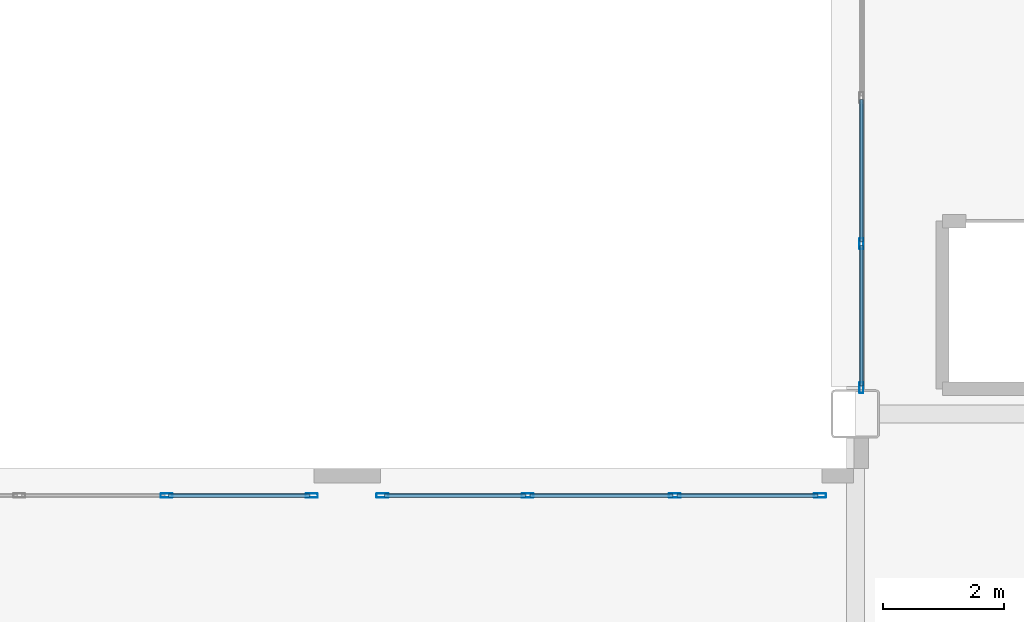
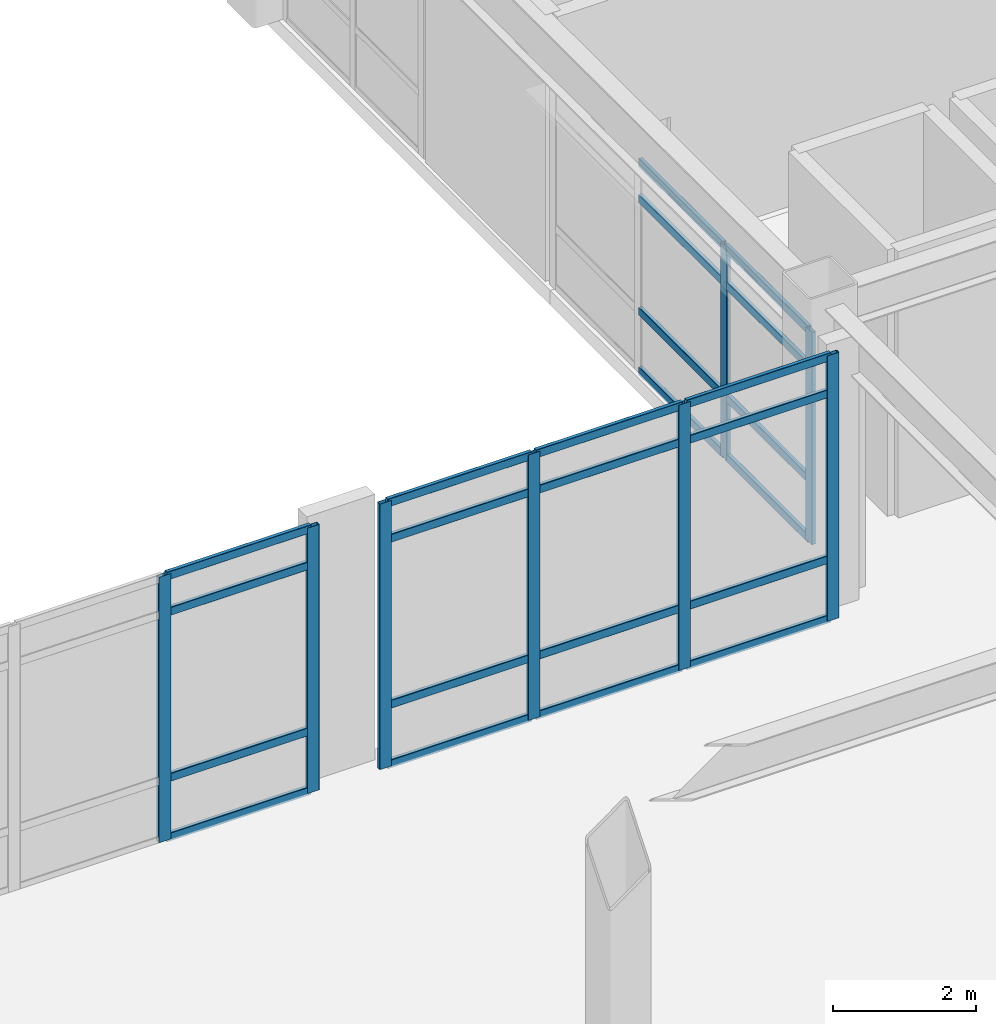
# One storey, part 102 of 172: 32 members, 3 elements without a shape of their own.
"""IFC4 building model written with IfcOpenShell, lengths in metres."""

from ifc_helpers import new_model, si_unit, direction, frame, origin, origin_2d, place, context, subcontext, project, spatial, hollow_rectangle, extrude, material, layer, layer_set, material_profile, profile_set, type_object, element, aggregate, save


model = new_model("IFC4")

# Units and contexts
model_context = context("Model", 3, precision=1e-05, world=origin(), true_north=direction((0.0, 1.0)))
body_context = subcontext(model_context, "Body", "Model", "MODEL_VIEW")
ifc_project = project(units=[si_unit("LENGTHUNIT", "METRE"), si_unit("AREAUNIT", "SQUARE_METRE"), si_unit("VOLUMEUNIT", "CUBIC_METRE"), si_unit("PLANEANGLEUNIT", "RADIAN"), si_unit("MASSUNIT", "GRAM", prefix="KILO")], contexts=[model_context])

# Site, building, storey
site_placement = place(None, origin())
site = spatial("IfcSite", under=ifc_project, at=site_placement, CompositionType="ELEMENT")
building_placement = place(site_placement, origin())
building = spatial("IfcBuilding", under=site, at=building_placement, Name="Kazehara Bluff Congress Hotel", CompositionType="ELEMENT")
storey_placement = place(building_placement, frame((0.0, 0.0, 5.39990234375)))
storey = spatial("IfcBuildingStorey", under=building, at=storey_placement, Name="L01", CompositionType="ELEMENT", Elevation=5.39990234375)

# Curtain wall, members
ifc_material_1 = material(Name="Anodised aluminium", Category="aluminium")
ifc_layer_1 = layer(ifc_material_1, 0.159912109375)
ifc_layer_set_1 = layer_set([ifc_layer_1], Name="Anodised aluminium")
curtain_wall_type_1 = type_object("IfcCurtainWallType", Name="TP-CW-118", PredefinedType="NOTDEFINED", material=ifc_layer_set_1)
curtain_wall_1_placement = place(storey_placement, origin())
curtain_wall_1 = element("IfcCurtainWall", 1, at=curtain_wall_1_placement, inside=storey, type_object=curtain_wall_type_1, Name="L01 curtain wall CW-118 CW-ENC-V5-L01-14380-4492", PredefinedType="NOTDEFINED")
ifc_material_2 = material(Name="Anodised aluminium", Category="aluminium")
ifc_material_profile_1 = material_profile(ifc_material_2, hollow_rectangle(XDim=0.06494140625, YDim=0.179931640625, WallThickness=0.00390625, InnerFilletRadius=0.00390625, OuterFilletRadius=0.008056640625, at=origin_2d()))
ifc_profile_set_1 = profile_set([ifc_material_profile_1], Name="Anodised aluminium")
member_type_1 = type_object("IfcMemberType", Name="TP-CWM-02", PredefinedType="MULLION", material=ifc_profile_set_1)
member_1_placement = place(storey_placement, frame((143.800048828125, 41.33251953125, 0.0), z_axis=(0.0, 0.0, 1.0), x_axis=(-1.0, 0.0, 0.0)))
member_1 = element("IfcMember", 2, at=member_1_placement, type_object=member_type_1, Name="CW-118 mullion 1", PredefinedType="MULLION", context=body_context, shape_type="SweptSolid", body=[
    extrude(hollow_rectangle(XDim=0.06494140625, YDim=0.179931640625, WallThickness=0.00390625, InnerFilletRadius=0.00390625, OuterFilletRadius=0.008056640625, at=origin_2d()), origin(), (0.0, 0.0, 1.0), 3.625),
])
member_2_placement = place(storey_placement, frame((143.800048828125, 43.71337890625, 0.0), z_axis=(0.0, 0.0, 1.0), x_axis=(-1.0, 0.0, 0.0)))
member_2 = element("IfcMember", 3, at=member_2_placement, type_object=member_type_1, Name="CW-118 mullion 2", PredefinedType="MULLION", context=body_context, shape_type="SweptSolid", body=[
    extrude(hollow_rectangle(XDim=0.06494140625, YDim=0.179931640625, WallThickness=0.00390625, InnerFilletRadius=0.00390625, OuterFilletRadius=0.008056640625, at=origin_2d()), origin(), (0.0, 0.0, 1.0), 3.625),
])

ifc_material_3 = material(Name="Anodised aluminium", Category="aluminium")
ifc_layer_2 = layer(ifc_material_3, 0.159912109375)
ifc_layer_set_2 = layer_set([ifc_layer_2], Name="Anodised aluminium")
curtain_wall_type_2 = type_object("IfcCurtainWallType", Name="TP-CW-48", PredefinedType="NOTDEFINED", material=ifc_layer_set_2)
curtain_wall_2_placement = place(storey_placement, origin())
curtain_wall_2 = element("IfcCurtainWall", 4, at=curtain_wall_2_placement, inside=storey, type_object=curtain_wall_type_2, Name="L01 curtain wall CW-48 CW-V5-L01-Y3955-12745", PredefinedType="NOTDEFINED")
ifc_material_4 = material(Name="Anodised aluminium", Category="aluminium")
ifc_material_profile_2 = material_profile(ifc_material_4, hollow_rectangle(XDim=0.070068359375, YDim=0.199951171875, WallThickness=0.0048828125, InnerFilletRadius=0.0048828125, OuterFilletRadius=0.010009765625, at=origin_2d()))
ifc_profile_set_2 = profile_set([ifc_material_profile_2], Name="Anodised aluminium")
member_type_2 = type_object("IfcMemberType", Name="TP-CWM-03", PredefinedType="MULLION", material=ifc_profile_set_2)
member_3_placement = place(storey_placement, frame((132.316650390625, 39.550048828125, 0.0), z_axis=(0.0, 0.0, 1.0), x_axis=(0.0, 1.0, 0.0)))
member_3 = element("IfcMember", 5, at=member_3_placement, type_object=member_type_2, Name="CW-48 mullion 3", PredefinedType="MULLION", context=body_context, shape_type="SweptSolid", body=[
    extrude(hollow_rectangle(XDim=0.070068359375, YDim=0.199951171875, WallThickness=0.0048828125, InnerFilletRadius=0.0048828125, OuterFilletRadius=0.010009765625, at=origin_2d()), origin(), (0.0, 0.0, 1.0), 4.53515625),
])
member_4_placement = place(storey_placement, frame((134.715087890625, 39.550048828125, 0.0), z_axis=(0.0, 0.0, 1.0), x_axis=(0.0, 1.0, 0.0)))
member_4 = element("IfcMember", 6, at=member_4_placement, type_object=member_type_2, Name="CW-48 mullion 4", PredefinedType="MULLION", context=body_context, shape_type="SweptSolid", body=[
    extrude(hollow_rectangle(XDim=0.070068359375, YDim=0.199951171875, WallThickness=0.0048828125, InnerFilletRadius=0.0048828125, OuterFilletRadius=0.010009765625, at=origin_2d()), origin(), (0.0, 0.0, 1.0), 4.53515625),
])

curtain_wall_3_placement = place(storey_placement, origin())
curtain_wall_3 = element("IfcCurtainWall", 7, at=curtain_wall_3_placement, inside=storey, type_object=curtain_wall_type_2, Name="L01 curtain wall CW-48 CW-V5-L01-Y3955-13585", PredefinedType="NOTDEFINED")
member_5_placement = place(storey_placement, frame((135.885009765625, 39.550048828125, 0.0), z_axis=(0.0, 0.0, 1.0), x_axis=(0.0, 1.0, 0.0)))
member_5 = element("IfcMember", 8, at=member_5_placement, type_object=member_type_2, Name="CW-48 mullion 1", PredefinedType="MULLION", context=body_context, shape_type="SweptSolid", body=[
    extrude(hollow_rectangle(XDim=0.070068359375, YDim=0.199951171875, WallThickness=0.0048828125, InnerFilletRadius=0.0048828125, OuterFilletRadius=0.010009765625, at=origin_2d()), origin(), (0.0, 0.0, 1.0), 4.53515625),
])
member_6_placement = place(storey_placement, frame((138.283447265625, 39.550048828125, 0.0), z_axis=(0.0, 0.0, 1.0), x_axis=(0.0, 1.0, 0.0)))
member_6 = element("IfcMember", 9, at=member_6_placement, type_object=member_type_2, Name="CW-48 mullion 2", PredefinedType="MULLION", context=body_context, shape_type="SweptSolid", body=[
    extrude(hollow_rectangle(XDim=0.070068359375, YDim=0.199951171875, WallThickness=0.0048828125, InnerFilletRadius=0.0048828125, OuterFilletRadius=0.010009765625, at=origin_2d()), origin(), (0.0, 0.0, 1.0), 4.53515625),
])
member_7_placement = place(storey_placement, frame((140.716552734375, 39.550048828125, 0.0), z_axis=(0.0, 0.0, 1.0), x_axis=(0.0, 1.0, 0.0)))
member_7 = element("IfcMember", 10, at=member_7_placement, type_object=member_type_2, Name="CW-48 mullion 3", PredefinedType="MULLION", context=body_context, shape_type="SweptSolid", body=[
    extrude(hollow_rectangle(XDim=0.070068359375, YDim=0.199951171875, WallThickness=0.0048828125, InnerFilletRadius=0.0048828125, OuterFilletRadius=0.010009765625, at=origin_2d()), origin(), (0.0, 0.0, 1.0), 4.53515625),
])
member_8_placement = place(storey_placement, frame((143.114990234375, 39.550048828125, 0.0), z_axis=(0.0, 0.0, 1.0), x_axis=(0.0, 1.0, 0.0)))
member_8 = element("IfcMember", 11, at=member_8_placement, type_object=member_type_2, Name="CW-48 mullion 4", PredefinedType="MULLION", context=body_context, shape_type="SweptSolid", body=[
    extrude(hollow_rectangle(XDim=0.070068359375, YDim=0.199951171875, WallThickness=0.0048828125, InnerFilletRadius=0.0048828125, OuterFilletRadius=0.010009765625, at=origin_2d()), origin(), (0.0, 0.0, 1.0), 4.53515625),
])

# Member
ifc_material_5 = material(Name="Anodised aluminium", Category="aluminium")
ifc_material_profile_3 = material_profile(ifc_material_5, hollow_rectangle(XDim=0.06494140625, YDim=0.139892578125, WallThickness=0.00390625, InnerFilletRadius=0.00390625, OuterFilletRadius=0.008056640625, at=origin_2d()))
ifc_profile_set_3 = profile_set([ifc_material_profile_3], Name="Anodised aluminium")
member_type_3 = type_object("IfcMemberType", Name="TP-CWT-02", PredefinedType="USERDEFINED", material=ifc_profile_set_3)
member_9_placement = place(storey_placement, frame((132.3515625, 39.550048828125, 0.03271484375), z_axis=(1.0, 0.0, 0.0), x_axis=(0.0, 1.0, 0.0)))
member_9 = element("IfcMember", 12, at=member_9_placement, type_object=member_type_3, Name="CW-48 transom 3.1", ObjectType="TRANSOM", PredefinedType="USERDEFINED", context=body_context, shape_type="SweptSolid", body=[
    extrude(hollow_rectangle(XDim=0.06494140625, YDim=0.139892578125, WallThickness=0.00390625, InnerFilletRadius=0.00390625, OuterFilletRadius=0.008056640625, at=origin_2d()), origin(), (0.0, 0.0, 1.0), 2.328369140625),
])

member_10_placement = place(storey_placement, frame((132.3515625, 39.550048828125, 1.050048828125), z_axis=(1.0, 0.0, 0.0), x_axis=(0.0, 1.0, 0.0)))
member_10 = element("IfcMember", 13, at=member_10_placement, type_object=member_type_3, Name="CW-48 transom 3.2", ObjectType="TRANSOM", PredefinedType="USERDEFINED", context=body_context, shape_type="SweptSolid", body=[
    extrude(hollow_rectangle(XDim=0.06494140625, YDim=0.139892578125, WallThickness=0.00390625, InnerFilletRadius=0.00390625, OuterFilletRadius=0.008056640625, at=origin_2d()), origin(), (0.0, 0.0, 1.0), 2.328369140625),
])

member_11_placement = place(storey_placement, frame((132.3515625, 39.550048828125, 3.885009765625), z_axis=(1.0, 0.0, 0.0), x_axis=(0.0, 1.0, 0.0)))
member_11 = element("IfcMember", 14, at=member_11_placement, type_object=member_type_3, Name="CW-48 transom 3.3", ObjectType="TRANSOM", PredefinedType="USERDEFINED", context=body_context, shape_type="SweptSolid", body=[
    extrude(hollow_rectangle(XDim=0.06494140625, YDim=0.139892578125, WallThickness=0.00390625, InnerFilletRadius=0.00390625, OuterFilletRadius=0.008056640625, at=origin_2d()), origin(), (0.0, 0.0, 1.0), 2.328369140625),
])

member_12_placement = place(storey_placement, frame((132.3515625, 39.550048828125, 4.502685546875), z_axis=(1.0, 0.0, 0.0), x_axis=(0.0, 1.0, 0.0)))
member_12 = element("IfcMember", 15, at=member_12_placement, type_object=member_type_3, Name="CW-48 transom 3.4", ObjectType="TRANSOM", PredefinedType="USERDEFINED", context=body_context, shape_type="SweptSolid", body=[
    extrude(hollow_rectangle(XDim=0.06494140625, YDim=0.139892578125, WallThickness=0.00390625, InnerFilletRadius=0.00390625, OuterFilletRadius=0.008056640625, at=origin_2d()), origin(), (0.0, 0.0, 1.0), 2.328369140625),
])

aggregate(curtain_wall_2, [member_3, member_4, member_9, member_10, member_11, member_12])

member_13_placement = place(storey_placement, frame((135.919921875, 39.550048828125, 0.03271484375), z_axis=(1.0, 0.0, 0.0), x_axis=(0.0, 1.0, 0.0)))
member_13 = element("IfcMember", 16, at=member_13_placement, type_object=member_type_3, Name="CW-48 transom 1.1", ObjectType="TRANSOM", PredefinedType="USERDEFINED", context=body_context, shape_type="SweptSolid", body=[
    extrude(hollow_rectangle(XDim=0.06494140625, YDim=0.139892578125, WallThickness=0.00390625, InnerFilletRadius=0.00390625, OuterFilletRadius=0.008056640625, at=origin_2d()), origin(), (0.0, 0.0, 1.0), 2.328369140625),
])

member_14_placement = place(storey_placement, frame((135.919921875, 39.550048828125, 1.050048828125), z_axis=(1.0, 0.0, 0.0), x_axis=(0.0, 1.0, 0.0)))
member_14 = element("IfcMember", 17, at=member_14_placement, type_object=member_type_3, Name="CW-48 transom 1.2", ObjectType="TRANSOM", PredefinedType="USERDEFINED", context=body_context, shape_type="SweptSolid", body=[
    extrude(hollow_rectangle(XDim=0.06494140625, YDim=0.139892578125, WallThickness=0.00390625, InnerFilletRadius=0.00390625, OuterFilletRadius=0.008056640625, at=origin_2d()), origin(), (0.0, 0.0, 1.0), 2.328369140625),
])

member_15_placement = place(storey_placement, frame((135.919921875, 39.550048828125, 3.885009765625), z_axis=(1.0, 0.0, 0.0), x_axis=(0.0, 1.0, 0.0)))
member_15 = element("IfcMember", 18, at=member_15_placement, type_object=member_type_3, Name="CW-48 transom 1.3", ObjectType="TRANSOM", PredefinedType="USERDEFINED", context=body_context, shape_type="SweptSolid", body=[
    extrude(hollow_rectangle(XDim=0.06494140625, YDim=0.139892578125, WallThickness=0.00390625, InnerFilletRadius=0.00390625, OuterFilletRadius=0.008056640625, at=origin_2d()), origin(), (0.0, 0.0, 1.0), 2.328369140625),
])

member_16_placement = place(storey_placement, frame((135.919921875, 39.550048828125, 4.502685546875), z_axis=(1.0, 0.0, 0.0), x_axis=(0.0, 1.0, 0.0)))
member_16 = element("IfcMember", 19, at=member_16_placement, type_object=member_type_3, Name="CW-48 transom 1.4", ObjectType="TRANSOM", PredefinedType="USERDEFINED", context=body_context, shape_type="SweptSolid", body=[
    extrude(hollow_rectangle(XDim=0.06494140625, YDim=0.139892578125, WallThickness=0.00390625, InnerFilletRadius=0.00390625, OuterFilletRadius=0.008056640625, at=origin_2d()), origin(), (0.0, 0.0, 1.0), 2.328369140625),
])

member_17_placement = place(storey_placement, frame((138.318359375, 39.550048828125, 0.03271484375), z_axis=(1.0, 0.0, 0.0), x_axis=(0.0, 1.0, 0.0)))
member_17 = element("IfcMember", 20, at=member_17_placement, type_object=member_type_3, Name="CW-48 transom 2.1", ObjectType="TRANSOM", PredefinedType="USERDEFINED", context=body_context, shape_type="SweptSolid", body=[
    extrude(hollow_rectangle(XDim=0.06494140625, YDim=0.139892578125, WallThickness=0.00390625, InnerFilletRadius=0.00390625, OuterFilletRadius=0.008056640625, at=origin_2d()), origin(), (0.0, 0.0, 1.0), 2.36328125),
])

member_18_placement = place(storey_placement, frame((138.318359375, 39.550048828125, 1.050048828125), z_axis=(1.0, 0.0, 0.0), x_axis=(0.0, 1.0, 0.0)))
member_18 = element("IfcMember", 21, at=member_18_placement, type_object=member_type_3, Name="CW-48 transom 2.2", ObjectType="TRANSOM", PredefinedType="USERDEFINED", context=body_context, shape_type="SweptSolid", body=[
    extrude(hollow_rectangle(XDim=0.06494140625, YDim=0.139892578125, WallThickness=0.00390625, InnerFilletRadius=0.00390625, OuterFilletRadius=0.008056640625, at=origin_2d()), origin(), (0.0, 0.0, 1.0), 2.36328125),
])

member_19_placement = place(storey_placement, frame((138.318359375, 39.550048828125, 3.885009765625), z_axis=(1.0, 0.0, 0.0), x_axis=(0.0, 1.0, 0.0)))
member_19 = element("IfcMember", 22, at=member_19_placement, type_object=member_type_3, Name="CW-48 transom 2.3", ObjectType="TRANSOM", PredefinedType="USERDEFINED", context=body_context, shape_type="SweptSolid", body=[
    extrude(hollow_rectangle(XDim=0.06494140625, YDim=0.139892578125, WallThickness=0.00390625, InnerFilletRadius=0.00390625, OuterFilletRadius=0.008056640625, at=origin_2d()), origin(), (0.0, 0.0, 1.0), 2.36328125),
])

member_20_placement = place(storey_placement, frame((138.318359375, 39.550048828125, 4.502685546875), z_axis=(1.0, 0.0, 0.0), x_axis=(0.0, 1.0, 0.0)))
member_20 = element("IfcMember", 23, at=member_20_placement, type_object=member_type_3, Name="CW-48 transom 2.4", ObjectType="TRANSOM", PredefinedType="USERDEFINED", context=body_context, shape_type="SweptSolid", body=[
    extrude(hollow_rectangle(XDim=0.06494140625, YDim=0.139892578125, WallThickness=0.00390625, InnerFilletRadius=0.00390625, OuterFilletRadius=0.008056640625, at=origin_2d()), origin(), (0.0, 0.0, 1.0), 2.36328125),
])

member_21_placement = place(storey_placement, frame((140.751708984375, 39.550048828125, 0.03271484375), z_axis=(1.0, 0.0, 0.0), x_axis=(0.0, 1.0, 0.0)))
member_21 = element("IfcMember", 24, at=member_21_placement, type_object=member_type_3, Name="CW-48 transom 3.1", ObjectType="TRANSOM", PredefinedType="USERDEFINED", context=body_context, shape_type="SweptSolid", body=[
    extrude(hollow_rectangle(XDim=0.06494140625, YDim=0.139892578125, WallThickness=0.00390625, InnerFilletRadius=0.00390625, OuterFilletRadius=0.008056640625, at=origin_2d()), origin(), (0.0, 0.0, 1.0), 2.328369140625),
])

member_22_placement = place(storey_placement, frame((140.751708984375, 39.550048828125, 1.050048828125), z_axis=(1.0, 0.0, 0.0), x_axis=(0.0, 1.0, 0.0)))
member_22 = element("IfcMember", 25, at=member_22_placement, type_object=member_type_3, Name="CW-48 transom 3.2", ObjectType="TRANSOM", PredefinedType="USERDEFINED", context=body_context, shape_type="SweptSolid", body=[
    extrude(hollow_rectangle(XDim=0.06494140625, YDim=0.139892578125, WallThickness=0.00390625, InnerFilletRadius=0.00390625, OuterFilletRadius=0.008056640625, at=origin_2d()), origin(), (0.0, 0.0, 1.0), 2.328369140625),
])

member_23_placement = place(storey_placement, frame((140.751708984375, 39.550048828125, 3.885009765625), z_axis=(1.0, 0.0, 0.0), x_axis=(0.0, 1.0, 0.0)))
member_23 = element("IfcMember", 26, at=member_23_placement, type_object=member_type_3, Name="CW-48 transom 3.3", ObjectType="TRANSOM", PredefinedType="USERDEFINED", context=body_context, shape_type="SweptSolid", body=[
    extrude(hollow_rectangle(XDim=0.06494140625, YDim=0.139892578125, WallThickness=0.00390625, InnerFilletRadius=0.00390625, OuterFilletRadius=0.008056640625, at=origin_2d()), origin(), (0.0, 0.0, 1.0), 2.328369140625),
])

member_24_placement = place(storey_placement, frame((140.751708984375, 39.550048828125, 4.502685546875), z_axis=(1.0, 0.0, 0.0), x_axis=(0.0, 1.0, 0.0)))
member_24 = element("IfcMember", 27, at=member_24_placement, type_object=member_type_3, Name="CW-48 transom 3.4", ObjectType="TRANSOM", PredefinedType="USERDEFINED", context=body_context, shape_type="SweptSolid", body=[
    extrude(hollow_rectangle(XDim=0.06494140625, YDim=0.139892578125, WallThickness=0.00390625, InnerFilletRadius=0.00390625, OuterFilletRadius=0.008056640625, at=origin_2d()), origin(), (0.0, 0.0, 1.0), 2.328369140625),
])

aggregate(curtain_wall_3, [member_5, member_6, member_7, member_8, member_13, member_14, member_15, member_16, member_17, member_18, member_19, member_20, member_21, member_22, member_23, member_24])

member_25_placement = place(storey_placement, frame((143.800048828125, 41.364990234375, 0.03271484375), z_axis=(0.0, 1.0, 0.0), x_axis=(-1.0, 0.0, 0.0)))
member_25 = element("IfcMember", 28, at=member_25_placement, type_object=member_type_3, Name="CW-118 transom 1.1", ObjectType="TRANSOM", PredefinedType="USERDEFINED", context=body_context, shape_type="SweptSolid", body=[
    extrude(hollow_rectangle(XDim=0.06494140625, YDim=0.139892578125, WallThickness=0.00390625, InnerFilletRadius=0.00390625, OuterFilletRadius=0.008056640625, at=origin_2d()), origin(), (0.0, 0.0, 1.0), 2.31591796875),
])

member_26_placement = place(storey_placement, frame((143.800048828125, 41.364990234375, 1.050048828125), z_axis=(0.0, 1.0, 0.0), x_axis=(-1.0, 0.0, 0.0)))
member_26 = element("IfcMember", 29, at=member_26_placement, type_object=member_type_3, Name="CW-118 transom 1.2", ObjectType="TRANSOM", PredefinedType="USERDEFINED", context=body_context, shape_type="SweptSolid", body=[
    extrude(hollow_rectangle(XDim=0.06494140625, YDim=0.139892578125, WallThickness=0.00390625, InnerFilletRadius=0.00390625, OuterFilletRadius=0.008056640625, at=origin_2d()), origin(), (0.0, 0.0, 1.0), 2.31591796875),
])

member_27_placement = place(storey_placement, frame((143.800048828125, 41.364990234375, 2.97509765625), z_axis=(0.0, 1.0, 0.0), x_axis=(-1.0, 0.0, 0.0)))
member_27 = element("IfcMember", 30, at=member_27_placement, type_object=member_type_3, Name="CW-118 transom 1.3", ObjectType="TRANSOM", PredefinedType="USERDEFINED", context=body_context, shape_type="SweptSolid", body=[
    extrude(hollow_rectangle(XDim=0.06494140625, YDim=0.139892578125, WallThickness=0.00390625, InnerFilletRadius=0.00390625, OuterFilletRadius=0.008056640625, at=origin_2d()), origin(), (0.0, 0.0, 1.0), 2.31591796875),
])

member_28_placement = place(storey_placement, frame((143.800048828125, 41.364990234375, 3.592529296875), z_axis=(0.0, 1.0, 0.0), x_axis=(-1.0, 0.0, 0.0)))
member_28 = element("IfcMember", 31, at=member_28_placement, type_object=member_type_3, Name="CW-118 transom 1.4", ObjectType="TRANSOM", PredefinedType="USERDEFINED", context=body_context, shape_type="SweptSolid", body=[
    extrude(hollow_rectangle(XDim=0.06494140625, YDim=0.139892578125, WallThickness=0.00390625, InnerFilletRadius=0.00390625, OuterFilletRadius=0.008056640625, at=origin_2d()), origin(), (0.0, 0.0, 1.0), 2.31591796875),
])

member_29_placement = place(storey_placement, frame((143.800048828125, 43.745849609375, 0.03271484375), z_axis=(0.0, 1.0, 0.0), x_axis=(-1.0, 0.0, 0.0)))
member_29 = element("IfcMember", 32, at=member_29_placement, type_object=member_type_3, Name="CW-118 transom 2.1", ObjectType="TRANSOM", PredefinedType="USERDEFINED", context=body_context, shape_type="SweptSolid", body=[
    extrude(hollow_rectangle(XDim=0.06494140625, YDim=0.139892578125, WallThickness=0.00390625, InnerFilletRadius=0.00390625, OuterFilletRadius=0.008056640625, at=origin_2d()), origin(), (0.0, 0.0, 1.0), 2.348388671875),
])

member_30_placement = place(storey_placement, frame((143.800048828125, 43.745849609375, 1.050048828125), z_axis=(0.0, 1.0, 0.0), x_axis=(-1.0, 0.0, 0.0)))
member_30 = element("IfcMember", 33, at=member_30_placement, type_object=member_type_3, Name="CW-118 transom 2.2", ObjectType="TRANSOM", PredefinedType="USERDEFINED", context=body_context, shape_type="SweptSolid", body=[
    extrude(hollow_rectangle(XDim=0.06494140625, YDim=0.139892578125, WallThickness=0.00390625, InnerFilletRadius=0.00390625, OuterFilletRadius=0.008056640625, at=origin_2d()), origin(), (0.0, 0.0, 1.0), 2.348388671875),
])

member_31_placement = place(storey_placement, frame((143.800048828125, 43.745849609375, 2.97509765625), z_axis=(0.0, 1.0, 0.0), x_axis=(-1.0, 0.0, 0.0)))
member_31 = element("IfcMember", 34, at=member_31_placement, type_object=member_type_3, Name="CW-118 transom 2.3", ObjectType="TRANSOM", PredefinedType="USERDEFINED", context=body_context, shape_type="SweptSolid", body=[
    extrude(hollow_rectangle(XDim=0.06494140625, YDim=0.139892578125, WallThickness=0.00390625, InnerFilletRadius=0.00390625, OuterFilletRadius=0.008056640625, at=origin_2d()), origin(), (0.0, 0.0, 1.0), 2.348388671875),
])

member_32_placement = place(storey_placement, frame((143.800048828125, 43.745849609375, 3.592529296875), z_axis=(0.0, 1.0, 0.0), x_axis=(-1.0, 0.0, 0.0)))
member_32 = element("IfcMember", 35, at=member_32_placement, type_object=member_type_3, Name="CW-118 transom 2.4", ObjectType="TRANSOM", PredefinedType="USERDEFINED", context=body_context, shape_type="SweptSolid", body=[
    extrude(hollow_rectangle(XDim=0.06494140625, YDim=0.139892578125, WallThickness=0.00390625, InnerFilletRadius=0.00390625, OuterFilletRadius=0.008056640625, at=origin_2d()), origin(), (0.0, 0.0, 1.0), 2.348388671875),
])

aggregate(curtain_wall_1, [member_1, member_2, member_25, member_26, member_27, member_28, member_29, member_30, member_31, member_32])

save(model, "model.ifc")
